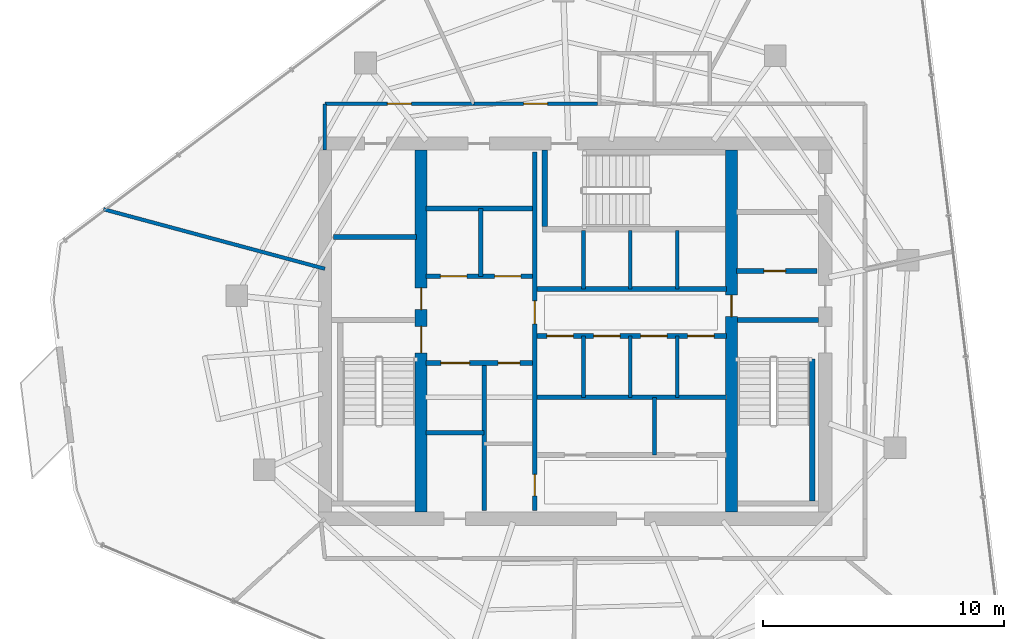
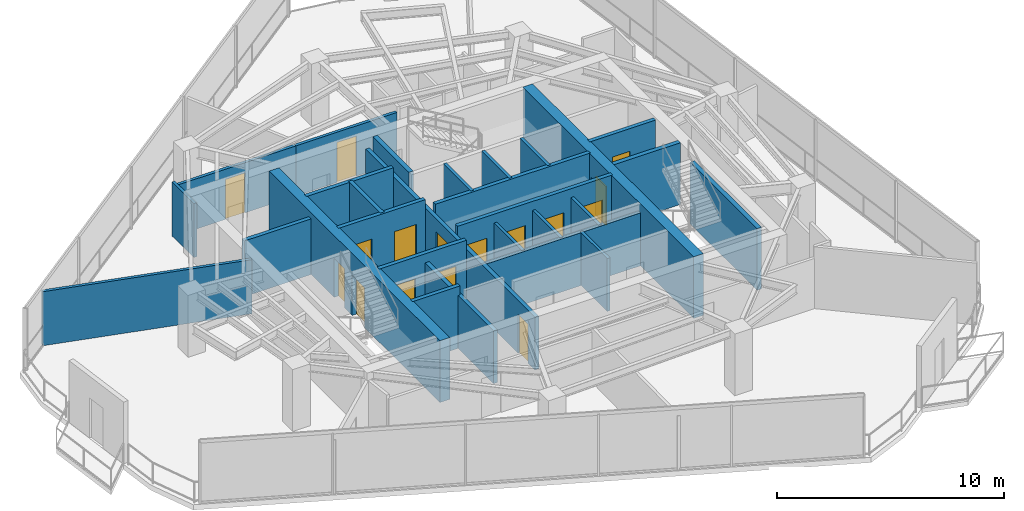
# One storey, part 14 of 18: 28 walls, 16 doors, 16 openings.
"""IFC4 building model written with IfcOpenShell, lengths in metres."""

from ifc_helpers import new_model, si_unit, direction, frame, frame_2d, origin, place, context, subcontext, project, spatial, rectangle, extrude, material, layer, layer_set, type_object, element, fill, save


model = new_model("IFC4")

# Units and contexts
model_context = context("Model", 3, precision=1e-05, world=origin(), true_north=direction((0.0, 1.0)))
body_context = subcontext(model_context, "Body", "Model", "MODEL_VIEW")
ifc_project = project(units=[si_unit("LENGTHUNIT", "METRE"), si_unit("AREAUNIT", "SQUARE_METRE"), si_unit("VOLUMEUNIT", "CUBIC_METRE"), si_unit("PLANEANGLEUNIT", "RADIAN"), si_unit("MASSUNIT", "GRAM", prefix="KILO")], contexts=[model_context])

# Site, building, storey
site_placement = place(None, origin())
site = spatial("IfcSite", under=ifc_project, at=site_placement, CompositionType="ELEMENT")
building_placement = place(site_placement, origin())
building = spatial("IfcBuilding", under=site, at=building_placement, Name="Qarnah Convention Tower", CompositionType="ELEMENT")
storey_placement = place(building_placement, frame((0.0, 0.0, 205.800048828125)))
storey = spatial("IfcBuildingStorey", under=building, at=storey_placement, Name="L55", CompositionType="ELEMENT", Elevation=205.800048828125)

# Wall, openings, doors
ifc_material_1 = material(Name="Concrete C60/75", Category="concrete")
ifc_layer_1 = layer(ifc_material_1, 0.5)
ifc_layer_set_1 = layer_set([ifc_layer_1], Name="Concrete C60/75")
wall_type_1 = type_object("IfcWallType", Name="WL-CORE-INT-400", PredefinedType="SHEAR", material=ifc_layer_set_1)
wall_1_placement = place(storey_placement, frame((30.800048828125, 18.875, 0.0), z_axis=(0.0, 0.0, 1.0), x_axis=(0.0, 1.0, 0.0)))
wall_1 = element("IfcWall", 1, at=wall_1_placement, inside=storey, type_object=wall_type_1, Name="L55 core west spine shear wall", PredefinedType="SHEAR", context=body_context, shape_type="SweptSolid", body=[
    extrude(rectangle(XDim=15.050048828125, YDim=0.5, at=frame_2d((7.52490234375, 0.0))), origin(), (0.0, 0.0, 1.0), 3.320068359375),
])
opening_1_placement = place(wall_1_placement, frame((6.625, 0.0, 0.0)))
opening_1 = element("IfcOpeningElement", 2, at=opening_1_placement, cuts=wall_1, Name="Opening D-5501", PredefinedType="OPENING", context=body_context, shape_type="SweptSolid", body=[
    extrude(rectangle(XDim=1.10009765625, YDim=2.14990234375, at=frame_2d((0.550048828125, 1.074951171875))), frame((0.0, 0.260009765625, 0.0), z_axis=(0.0, -1.0, 0.0), x_axis=(1.0, 0.0, 0.0)), (0.0, 0.0, 1.0), 0.52001953125),
])
opening_2_placement = place(wall_1_placement, frame((8.425048828125, 0.0, 0.0)))
opening_2 = element("IfcOpeningElement", 3, at=opening_2_placement, cuts=wall_1, Name="Opening D-5508", PredefinedType="OPENING", context=body_context, shape_type="SweptSolid", body=[
    extrude(rectangle(XDim=0.89990234375, YDim=2.10009765625, at=frame_2d((0.449951171875, 1.050048828125))), frame((0.0, 0.260009765625, 0.0), z_axis=(0.0, -1.0, 0.0), x_axis=(1.0, 0.0, 0.0)), (0.0, 0.0, 1.0), 0.52001953125),
])
ifc_material_2 = material(Name="Structural steel S355JR", Category="steel")
door_type_1 = type_object("IfcDoorType", Name="DT-RISER-900", OperationType="NOTDEFINED", PredefinedType="DOOR", material=ifc_material_2)
door_1_placement = place(opening_2_placement, origin())
door_1 = element("IfcDoor", 4, at=door_1_placement, inside=storey, type_object=door_type_1, Name="Door D-5508", OperationType="SINGLE_SWING_RIGHT", OverallHeight=2.10009765625, OverallWidth=0.89990234375, PredefinedType="DOOR", context=body_context, shape_type="SweptSolid", body=[
    extrude(rectangle(XDim=0.89990234375, YDim=2.10009765625, at=frame_2d((0.449951171875, 1.050048828125))), frame((0.0, 0.02490234375, 0.0), z_axis=(0.0, -1.0, 0.0), x_axis=(1.0, 0.0, 0.0)), (0.0, 0.0, 1.0), 0.050048828125),
])
fill(opening_2, door_1)
door_type_2 = type_object("IfcDoorType", Name="DT-STAIR-1100", OperationType="NOTDEFINED", PredefinedType="DOOR", material=ifc_material_2)
door_2_placement = place(opening_1_placement, origin())
door_2 = element("IfcDoor", 5, at=door_2_placement, inside=storey, type_object=door_type_2, Name="Door D-5501", OperationType="SINGLE_SWING_LEFT", OverallHeight=2.14990234375, OverallWidth=1.10009765625, PredefinedType="DOOR", context=body_context, shape_type="SweptSolid", body=[
    extrude(rectangle(XDim=1.10009765625, YDim=2.14990234375, at=frame_2d((0.550048828125, 1.074951171875))), frame((0.0, 0.02490234375, 0.0), z_axis=(0.0, -1.0, 0.0), x_axis=(1.0, 0.0, 0.0)), (0.0, 0.0, 1.0), 0.050048828125),
])
fill(opening_1, door_2)

# Wall, opening, door
wall_2_placement = place(storey_placement, frame((43.699951171875, 18.875, 0.0), z_axis=(0.0, 0.0, 1.0), x_axis=(0.0, 1.0, 0.0)))
wall_2 = element("IfcWall", 6, at=wall_2_placement, inside=storey, type_object=wall_type_1, Name="L55 core east spine shear wall", PredefinedType="SHEAR", context=body_context, shape_type="SweptSolid", body=[
    extrude(rectangle(XDim=15.050048828125, YDim=0.5, at=frame_2d((7.52490234375, 0.0))), origin(), (0.0, 0.0, 1.0), 3.320068359375),
])
opening_3_placement = place(wall_2_placement, frame((8.125, 0.0, 0.0)))
opening_3 = element("IfcOpeningElement", 7, at=opening_3_placement, cuts=wall_2, Name="Opening D-5505", PredefinedType="OPENING", context=body_context, shape_type="SweptSolid", body=[
    extrude(rectangle(XDim=0.89990234375, YDim=2.10009765625, at=frame_2d((0.449951171875, 1.050048828125))), frame((0.0, 0.260009765625, 0.0), z_axis=(0.0, -1.0, 0.0), x_axis=(1.0, 0.0, 0.0)), (0.0, 0.0, 1.0), 0.52001953125),
])
door_3_placement = place(opening_3_placement, origin())
door_3 = element("IfcDoor", 8, at=door_3_placement, inside=storey, type_object=door_type_1, Name="Door D-5505", OperationType="SINGLE_SWING_LEFT", OverallHeight=2.10009765625, OverallWidth=0.89990234375, PredefinedType="DOOR", context=body_context, shape_type="SweptSolid", body=[
    extrude(rectangle(XDim=0.89990234375, YDim=2.10009765625, at=frame_2d((0.449951171875, 1.050048828125))), frame((0.0, 0.02490234375, 0.0), z_axis=(0.0, -1.0, 0.0), x_axis=(1.0, 0.0, 0.0)), (0.0, 0.0, 1.0), 0.050048828125),
])
fill(opening_3, door_3)

# Wall
ifc_material_3 = material(Name="Concrete C45/55", Category="concrete")
ifc_layer_2 = layer(ifc_material_3, 0.199951171875)
ifc_layer_set_2 = layer_set([ifc_layer_2], Name="Concrete C45/55")
wall_type_2 = type_object("IfcWallType", Name="WL-CORE-PART-200", PredefinedType="SOLIDWALL", material=ifc_layer_set_2)
wall_3_placement = place(storey_placement, frame((27.14990234375, 30.320068359375, 0.0), z_axis=(0.0, 0.0, 1.0), x_axis=(1.0, 0.0, 0.0)))
element("IfcWall", 9, at=wall_3_placement, inside=storey, type_object=wall_type_2, Name="L55 interior wall IW-L55-ELRN", PredefinedType="SOLIDWALL", context=body_context, shape_type="SweptSolid", body=[
    extrude(rectangle(XDim=3.4501953125, YDim=0.199951171875, at=frame_2d((1.72509765625, 0.0))), origin(), (0.0, 0.0, 1.0), 2.992919921875),
])

# Wall, opening, door
wall_4_placement = place(storey_placement, frame((43.89990234375, 28.89990234375, 0.0), z_axis=(0.0, 0.0, 1.0), x_axis=(1.0, 0.0, 0.0)))
wall_4 = element("IfcWall", 10, at=wall_4_placement, inside=storey, type_object=wall_type_2, Name="L55 interior wall IW-L55-EVSTN", PredefinedType="SOLIDWALL", context=body_context, shape_type="SweptSolid", body=[
    extrude(rectangle(XDim=3.35009765625, YDim=0.199951171875, at=frame_2d((1.675048828125, 0.0))), origin(), (0.0, 0.0, 1.0), 3.320068359375),
])
opening_4_placement = place(wall_4_placement, frame((1.14990234375, 0.0, 0.0)))
opening_4 = element("IfcOpeningElement", 11, at=opening_4_placement, cuts=wall_4, Name="Opening D-5511", PredefinedType="OPENING", context=body_context, shape_type="SweptSolid", body=[
    extrude(rectangle(XDim=0.89990234375, YDim=2.10009765625, at=frame_2d((0.449951171875, 1.050048828125))), frame((0.0, 0.10986328125, 0.0), z_axis=(0.0, -1.0, 0.0), x_axis=(1.0, 0.0, 0.0)), (0.0, 0.0, 1.0), 0.219970703125),
])
door_4_placement = place(opening_4_placement, origin())
door_4 = element("IfcDoor", 12, at=door_4_placement, inside=storey, type_object=door_type_1, Name="Door D-5511", OperationType="SINGLE_SWING_LEFT", OverallHeight=2.10009765625, OverallWidth=0.89990234375, PredefinedType="DOOR", context=body_context, shape_type="SweptSolid", body=[
    extrude(rectangle(XDim=0.89990234375, YDim=2.10009765625, at=frame_2d((0.449951171875, 1.050048828125))), frame((0.0, 0.02490234375, 0.0), z_axis=(0.0, -1.0, 0.0), x_axis=(1.0, 0.0, 0.0)), (0.0, 0.0, 1.0), 0.050048828125),
])
fill(opening_4, door_4)

# Wall, openings, doors
wall_5_placement = place(storey_placement, frame((35.52001953125, 18.949951171875, 0.0), z_axis=(0.0, 0.0, 1.0), x_axis=(0.0, 1.0, 0.0)))
wall_5 = element("IfcWall", 13, at=wall_5_placement, inside=storey, type_object=wall_type_2, Name="L55 interior wall IW-L55-CSP", PredefinedType="SOLIDWALL", context=body_context, shape_type="SweptSolid", body=[
    extrude(rectangle(XDim=14.900146484375, YDim=0.199951171875, at=frame_2d((7.4501953125, 0.0))), origin(), (0.0, 0.0, 1.0), 2.841064453125),
])
opening_5_placement = place(wall_5_placement, frame((7.7548828125, 0.0, 0.0)))
opening_5 = element("IfcOpeningElement", 14, at=opening_5_placement, cuts=wall_5, Name="Opening D-5504", PredefinedType="OPENING", context=body_context, shape_type="SweptSolid", body=[
    extrude(rectangle(XDim=0.949951171875, YDim=2.14990234375, at=frame_2d((0.47509765625, 1.074951171875))), frame((0.0, 0.10986328125, 0.0), z_axis=(0.0, -1.0, 0.0), x_axis=(1.0, 0.0, 0.0)), (0.0, 0.0, 1.0), 0.219970703125),
])
opening_6_placement = place(wall_5_placement, frame((0.60009765625, 0.0, 0.0)))
opening_6 = element("IfcOpeningElement", 15, at=opening_6_placement, cuts=wall_5, Name="Opening D-5514", PredefinedType="OPENING", context=body_context, shape_type="SweptSolid", body=[
    extrude(rectangle(XDim=0.89990234375, YDim=2.10009765625, at=frame_2d((0.449951171875, 1.050048828125))), frame((0.0, 0.10986328125, 0.0), z_axis=(0.0, -1.0, 0.0), x_axis=(1.0, 0.0, 0.0)), (0.0, 0.0, 1.0), 0.219970703125),
])
ifc_material_4 = material(Name="Oak timber veneer", Category="wood")
door_type_3 = type_object("IfcDoorType", Name="DT-HOTEL-950", OperationType="NOTDEFINED", PredefinedType="DOOR", material=ifc_material_4)
door_5_placement = place(opening_5_placement, origin())
door_5 = element("IfcDoor", 16, at=door_5_placement, inside=storey, type_object=door_type_3, Name="Door D-5504", OperationType="SINGLE_SWING_RIGHT", OverallHeight=2.14990234375, OverallWidth=0.949951171875, PredefinedType="DOOR", context=body_context, shape_type="SweptSolid", body=[
    extrude(rectangle(XDim=0.949951171875, YDim=2.14990234375, at=frame_2d((0.47509765625, 1.074951171875))), frame((0.0, 0.02490234375, 0.0), z_axis=(0.0, -1.0, 0.0), x_axis=(1.0, 0.0, 0.0)), (0.0, 0.0, 1.0), 0.050048828125),
])
fill(opening_5, door_5)
door_6_placement = place(opening_6_placement, origin())
door_6 = element("IfcDoor", 17, at=door_6_placement, inside=storey, type_object=door_type_1, Name="Door D-5514", OperationType="SINGLE_SWING_RIGHT", OverallHeight=2.10009765625, OverallWidth=0.89990234375, PredefinedType="DOOR", context=body_context, shape_type="SweptSolid", body=[
    extrude(rectangle(XDim=0.89990234375, YDim=2.10009765625, at=frame_2d((0.449951171875, 1.050048828125))), frame((0.0, 0.02490234375, 0.0), z_axis=(0.0, -1.0, 0.0), x_axis=(1.0, 0.0, 0.0)), (0.0, 0.0, 1.0), 0.050048828125),
])
fill(opening_6, door_6)

wall_6_placement = place(storey_placement, frame((31.0, 28.679931640625, 0.0), z_axis=(0.0, 0.0, 1.0), x_axis=(1.0, 0.0, 0.0)))
wall_6 = element("IfcWall", 18, at=wall_6_placement, inside=storey, type_object=wall_type_2, Name="L55 interior wall IW-L55-FFLS", PredefinedType="SOLIDWALL", context=body_context, shape_type="SweptSolid", body=[
    extrude(rectangle(XDim=4.419921875, YDim=0.199951171875, at=frame_2d((2.2099609375, 0.0))), origin(), (0.0, 0.0, 1.0), 3.320068359375),
])
opening_7_placement = place(wall_6_placement, frame((0.60009765625, 0.0, 0.0)))
opening_7 = element("IfcOpeningElement", 19, at=opening_7_placement, cuts=wall_6, Name="Opening LD-5501", PredefinedType="OPENING", context=body_context, shape_type="SweptSolid", body=[
    extrude(rectangle(XDim=1.10009765625, YDim=2.14990234375, at=frame_2d((0.550048828125, 1.074951171875))), frame((0.0, 0.10986328125, 0.0), z_axis=(0.0, -1.0, 0.0), x_axis=(1.0, 0.0, 0.0)), (0.0, 0.0, 1.0), 0.219970703125),
])
opening_8_placement = place(wall_6_placement, frame((2.85009765625, 0.0, 0.0)))
opening_8 = element("IfcOpeningElement", 20, at=opening_8_placement, cuts=wall_6, Name="Opening LD-5502", PredefinedType="OPENING", context=body_context, shape_type="SweptSolid", body=[
    extrude(rectangle(XDim=1.10009765625, YDim=2.14990234375, at=frame_2d((0.550048828125, 1.074951171875))), frame((0.0, 0.10986328125, 0.0), z_axis=(0.0, -1.0, 0.0), x_axis=(1.0, 0.0, 0.0)), (0.0, 0.0, 1.0), 0.219970703125),
])
door_type_4 = type_object("IfcDoorType", Name="DT-LIFT-1100", OperationType="SLIDING_TO_LEFT", PredefinedType="DOOR", material=ifc_material_2)
door_7_placement = place(opening_7_placement, origin())
door_7 = element("IfcDoor", 21, at=door_7_placement, inside=storey, type_object=door_type_4, Name="Door LD-5501", OperationType="SLIDING_TO_LEFT", OverallHeight=2.14990234375, OverallWidth=1.10009765625, PredefinedType="DOOR", context=body_context, shape_type="SweptSolid", body=[
    extrude(rectangle(XDim=1.10009765625, YDim=2.14990234375, at=frame_2d((0.550048828125, 1.074951171875))), frame((0.0, 0.02490234375, 0.0), z_axis=(0.0, -1.0, 0.0), x_axis=(1.0, 0.0, 0.0)), (0.0, 0.0, 1.0), 0.050048828125),
])
fill(opening_7, door_7)
door_8_placement = place(opening_8_placement, origin())
door_8 = element("IfcDoor", 22, at=door_8_placement, inside=storey, type_object=door_type_4, Name="Door LD-5502", OperationType="SLIDING_TO_LEFT", OverallHeight=2.14990234375, OverallWidth=1.10009765625, PredefinedType="DOOR", context=body_context, shape_type="SweptSolid", body=[
    extrude(rectangle(XDim=1.10009765625, YDim=2.14990234375, at=frame_2d((0.550048828125, 1.074951171875))), frame((0.0, 0.02490234375, 0.0), z_axis=(0.0, -1.0, 0.0), x_axis=(1.0, 0.0, 0.0)), (0.0, 0.0, 1.0), 0.050048828125),
])
fill(opening_8, door_8)

# Walls
wall_7_placement = place(storey_placement, frame((31.0, 31.5, 0.0), z_axis=(0.0, 0.0, 1.0), x_axis=(1.0, 0.0, 0.0)))
element("IfcWall", 23, at=wall_7_placement, inside=storey, type_object=wall_type_2, Name="L55 interior wall IW-L55-FFLN", PredefinedType="SOLIDWALL", context=body_context, shape_type="SweptSolid", body=[
    extrude(rectangle(XDim=4.419921875, YDim=0.199951171875, at=frame_2d((2.2099609375, 0.0))), origin(), (0.0, 0.0, 1.0), 3.320068359375),
])
wall_8_placement = place(storey_placement, frame((33.280029296875, 28.679931640625, 0.0), z_axis=(0.0, 0.0, 1.0), x_axis=(0.0, 1.0, 0.0)))
element("IfcWall", 24, at=wall_8_placement, inside=storey, type_object=wall_type_2, Name="L55 interior wall IW-L55-FFLM", PredefinedType="SOLIDWALL", context=body_context, shape_type="SweptSolid", body=[
    extrude(rectangle(XDim=2.820068359375, YDim=0.199951171875, at=frame_2d((1.41015625, 0.0))), origin(), (0.0, 0.0, 1.0), 3.320068359375),
])

# Wall, openings, doors
wall_9_placement = place(storey_placement, frame((31.0, 25.080078125, 0.0), z_axis=(0.0, 0.0, 1.0), x_axis=(1.0, 0.0, 0.0)))
wall_9 = element("IfcWall", 25, at=wall_9_placement, inside=storey, type_object=wall_type_2, Name="L55 interior wall IW-L55-FFLBS", PredefinedType="SOLIDWALL", context=body_context, shape_type="SweptSolid", body=[
    extrude(rectangle(XDim=4.419921875, YDim=0.199951171875, at=frame_2d((2.2099609375, 0.0))), origin(), (0.0, 0.0, 1.0), 3.320068359375),
])
opening_9_placement = place(wall_9_placement, frame((3.0, 0.0, 0.0)))
opening_9 = element("IfcOpeningElement", 26, at=opening_9_placement, cuts=wall_9, Name="Opening D-5515", PredefinedType="OPENING", context=body_context, shape_type="SweptSolid", body=[
    extrude(rectangle(XDim=0.89990234375, YDim=2.10009765625, at=frame_2d((0.449951171875, 1.050048828125))), frame((0.0, 0.10986328125, 0.0), z_axis=(0.0, -1.0, 0.0), x_axis=(1.0, 0.0, 0.0)), (0.0, 0.0, 1.0), 0.219970703125),
])
opening_10_placement = place(wall_9_placement, frame((0.6201171875, 0.0, 0.0)))
opening_10 = element("IfcOpeningElement", 27, at=opening_10_placement, cuts=wall_9, Name="Opening LD-5503", PredefinedType="OPENING", context=body_context, shape_type="SweptSolid", body=[
    extrude(rectangle(XDim=1.199951171875, YDim=2.14990234375, at=frame_2d((0.60009765625, 1.074951171875))), frame((0.0, 0.10986328125, 0.0), z_axis=(0.0, -1.0, 0.0), x_axis=(1.0, 0.0, 0.0)), (0.0, 0.0, 1.0), 0.219970703125),
])
door_type_5 = type_object("IfcDoorType", Name="DT-LIFT-1200", OperationType="SLIDING_TO_LEFT", PredefinedType="DOOR", material=ifc_material_2)
door_9_placement = place(opening_10_placement, origin())
door_9 = element("IfcDoor", 28, at=door_9_placement, inside=storey, type_object=door_type_5, Name="Door LD-5503", OperationType="SLIDING_TO_LEFT", OverallHeight=2.14990234375, OverallWidth=1.199951171875, PredefinedType="DOOR", context=body_context, shape_type="SweptSolid", body=[
    extrude(rectangle(XDim=1.199951171875, YDim=2.14990234375, at=frame_2d((0.60009765625, 1.074951171875))), frame((0.0, 0.02490234375, 0.0), z_axis=(0.0, -1.0, 0.0), x_axis=(1.0, 0.0, 0.0)), (0.0, 0.0, 1.0), 0.050048828125),
])
fill(opening_10, door_9)
door_10_placement = place(opening_9_placement, origin())
door_10 = element("IfcDoor", 29, at=door_10_placement, inside=storey, type_object=door_type_1, Name="Door D-5515", OperationType="SINGLE_SWING_LEFT", OverallHeight=2.10009765625, OverallWidth=0.89990234375, PredefinedType="DOOR", context=body_context, shape_type="SweptSolid", body=[
    extrude(rectangle(XDim=0.89990234375, YDim=2.10009765625, at=frame_2d((0.449951171875, 1.050048828125))), frame((0.0, 0.02490234375, 0.0), z_axis=(0.0, -1.0, 0.0), x_axis=(1.0, 0.0, 0.0)), (0.0, 0.0, 1.0), 0.050048828125),
])
fill(opening_9, door_10)

# Walls
wall_10_placement = place(storey_placement, frame((33.419921875, 18.949951171875, 0.0), z_axis=(0.0, 0.0, 1.0), x_axis=(0.0, 1.0, 0.0)))
element("IfcWall", 30, at=wall_10_placement, inside=storey, type_object=wall_type_2, Name="L55 interior wall IW-L55-SVLE", PredefinedType="SOLIDWALL", context=body_context, shape_type="SweptSolid", body=[
    extrude(rectangle(XDim=6.130126953125, YDim=0.199951171875, at=frame_2d((3.06494140625, 0.0))), origin(), (0.0, 0.0, 1.0), 2.841064453125),
])
wall_11_placement = place(storey_placement, frame((31.0, 22.179931640625, 0.0), z_axis=(0.0, 0.0, 1.0), x_axis=(1.0, 0.0, 0.0)))
element("IfcWall", 31, at=wall_11_placement, inside=storey, type_object=wall_type_2, Name="L55 interior wall IW-L55-SVLS", PredefinedType="SOLIDWALL", context=body_context, shape_type="SweptSolid", body=[
    extrude(rectangle(XDim=2.419921875, YDim=0.199951171875, at=frame_2d((1.2099609375, 0.0))), origin(), (0.0, 0.0, 1.0), 3.320068359375),
])
wall_12_placement = place(storey_placement, frame((35.6201171875, 28.14990234375, 0.0), z_axis=(0.0, 0.0, 1.0), x_axis=(1.0, 0.0, 0.0)))
element("IfcWall", 32, at=wall_12_placement, inside=storey, type_object=wall_type_2, Name="L55 interior wall IW-L55-PHS", PredefinedType="SOLIDWALL", context=body_context, shape_type="SweptSolid", body=[
    extrude(rectangle(XDim=7.8798828125, YDim=0.199951171875, at=frame_2d((3.93994140625, 0.0))), origin(), (0.0, 0.0, 1.0), 3.320068359375),
])

# Wall, openings, doors
wall_13_placement = place(storey_placement, frame((35.6201171875, 26.199951171875, 0.0), z_axis=(0.0, 0.0, 1.0), x_axis=(1.0, 0.0, 0.0)))
wall_13 = element("IfcWall", 33, at=wall_13_placement, inside=storey, type_object=wall_type_2, Name="L55 interior wall IW-L55-PMN", PredefinedType="SOLIDWALL", context=body_context, shape_type="SweptSolid", body=[
    extrude(rectangle(XDim=7.8798828125, YDim=0.199951171875, at=frame_2d((3.93994140625, 0.0))), origin(), (0.0, 0.0, 1.0), 3.320068359375),
])
opening_11_placement = place(wall_13_placement, frame((0.405029296875, 0.0, 0.0)))
opening_11 = element("IfcOpeningElement", 34, at=opening_11_placement, cuts=wall_13, Name="Opening LD-5504", PredefinedType="OPENING", context=body_context, shape_type="SweptSolid", body=[
    extrude(rectangle(XDim=1.10009765625, YDim=2.14990234375, at=frame_2d((0.550048828125, 1.074951171875))), frame((0.0, 0.10986328125, 0.0), z_axis=(0.0, -1.0, 0.0), x_axis=(1.0, 0.0, 0.0)), (0.0, 0.0, 1.0), 0.219970703125),
])
opening_12_placement = place(wall_13_placement, frame((2.35498046875, 0.0, 0.0)))
opening_12 = element("IfcOpeningElement", 35, at=opening_12_placement, cuts=wall_13, Name="Opening LD-5505", PredefinedType="OPENING", context=body_context, shape_type="SweptSolid", body=[
    extrude(rectangle(XDim=1.10009765625, YDim=2.14990234375, at=frame_2d((0.550048828125, 1.074951171875))), frame((0.0, 0.10986328125, 0.0), z_axis=(0.0, -1.0, 0.0), x_axis=(1.0, 0.0, 0.0)), (0.0, 0.0, 1.0), 0.219970703125),
])
opening_13_placement = place(wall_13_placement, frame((4.304931640625, 0.0, 0.0)))
opening_13 = element("IfcOpeningElement", 36, at=opening_13_placement, cuts=wall_13, Name="Opening LD-5506", PredefinedType="OPENING", context=body_context, shape_type="SweptSolid", body=[
    extrude(rectangle(XDim=1.10009765625, YDim=2.14990234375, at=frame_2d((0.550048828125, 1.074951171875))), frame((0.0, 0.10986328125, 0.0), z_axis=(0.0, -1.0, 0.0), x_axis=(1.0, 0.0, 0.0)), (0.0, 0.0, 1.0), 0.219970703125),
])
opening_14_placement = place(wall_13_placement, frame((6.2548828125, 0.0, 0.0)))
opening_14 = element("IfcOpeningElement", 37, at=opening_14_placement, cuts=wall_13, Name="Opening LD-5507", PredefinedType="OPENING", context=body_context, shape_type="SweptSolid", body=[
    extrude(rectangle(XDim=1.10009765625, YDim=2.14990234375, at=frame_2d((0.550048828125, 1.074951171875))), frame((0.0, 0.10986328125, 0.0), z_axis=(0.0, -1.0, 0.0), x_axis=(1.0, 0.0, 0.0)), (0.0, 0.0, 1.0), 0.219970703125),
])
door_11_placement = place(opening_11_placement, origin())
door_11 = element("IfcDoor", 38, at=door_11_placement, inside=storey, type_object=door_type_4, Name="Door LD-5504", OperationType="SLIDING_TO_LEFT", OverallHeight=2.14990234375, OverallWidth=1.10009765625, PredefinedType="DOOR", context=body_context, shape_type="SweptSolid", body=[
    extrude(rectangle(XDim=1.10009765625, YDim=2.14990234375, at=frame_2d((0.550048828125, 1.074951171875))), frame((0.0, 0.02490234375, 0.0), z_axis=(0.0, -1.0, 0.0), x_axis=(1.0, 0.0, 0.0)), (0.0, 0.0, 1.0), 0.050048828125),
])
fill(opening_11, door_11)
door_12_placement = place(opening_12_placement, origin())
door_12 = element("IfcDoor", 39, at=door_12_placement, inside=storey, type_object=door_type_4, Name="Door LD-5505", OperationType="SLIDING_TO_LEFT", OverallHeight=2.14990234375, OverallWidth=1.10009765625, PredefinedType="DOOR", context=body_context, shape_type="SweptSolid", body=[
    extrude(rectangle(XDim=1.10009765625, YDim=2.14990234375, at=frame_2d((0.550048828125, 1.074951171875))), frame((0.0, 0.02490234375, 0.0), z_axis=(0.0, -1.0, 0.0), x_axis=(1.0, 0.0, 0.0)), (0.0, 0.0, 1.0), 0.050048828125),
])
fill(opening_12, door_12)
door_13_placement = place(opening_13_placement, origin())
door_13 = element("IfcDoor", 40, at=door_13_placement, inside=storey, type_object=door_type_4, Name="Door LD-5506", OperationType="SLIDING_TO_LEFT", OverallHeight=2.14990234375, OverallWidth=1.10009765625, PredefinedType="DOOR", context=body_context, shape_type="SweptSolid", body=[
    extrude(rectangle(XDim=1.10009765625, YDim=2.14990234375, at=frame_2d((0.550048828125, 1.074951171875))), frame((0.0, 0.02490234375, 0.0), z_axis=(0.0, -1.0, 0.0), x_axis=(1.0, 0.0, 0.0)), (0.0, 0.0, 1.0), 0.050048828125),
])
fill(opening_13, door_13)
door_14_placement = place(opening_14_placement, origin())
door_14 = element("IfcDoor", 41, at=door_14_placement, inside=storey, type_object=door_type_4, Name="Door LD-5507", OperationType="SLIDING_TO_LEFT", OverallHeight=2.14990234375, OverallWidth=1.10009765625, PredefinedType="DOOR", context=body_context, shape_type="SweptSolid", body=[
    extrude(rectangle(XDim=1.10009765625, YDim=2.14990234375, at=frame_2d((0.550048828125, 1.074951171875))), frame((0.0, 0.02490234375, 0.0), z_axis=(0.0, -1.0, 0.0), x_axis=(1.0, 0.0, 0.0)), (0.0, 0.0, 1.0), 0.050048828125),
])
fill(opening_14, door_14)

# Walls
wall_14_placement = place(storey_placement, frame((35.6201171875, 23.64990234375, 0.0), z_axis=(0.0, 0.0, 1.0), x_axis=(1.0, 0.0, 0.0)))
element("IfcWall", 42, at=wall_14_placement, inside=storey, type_object=wall_type_2, Name="L55 interior wall IW-L55-PMPL", PredefinedType="SOLIDWALL", context=body_context, shape_type="SweptSolid", body=[
    extrude(rectangle(XDim=7.8798828125, YDim=0.199951171875, at=frame_2d((3.93994140625, 0.0))), origin(), (0.0, 0.0, 1.0), 2.841064453125),
])
ifc_layer_3 = layer(ifc_material_1, 0.219970703125)
ifc_layer_set_3 = layer_set([ifc_layer_3], Name="Concrete C60/75")
wall_type_3 = type_object("IfcWallType", Name="WL-CORE-STAIR-220", PredefinedType="SHEAR", material=ifc_layer_set_3)
wall_15_placement = place(storey_placement, frame((43.949951171875, 26.860107421875, 0.0), z_axis=(0.0, 0.0, 1.0), x_axis=(1.0, 0.0, 0.0)))
element("IfcWall", 43, at=wall_15_placement, inside=storey, type_object=wall_type_3, Name="L55 stair shaft shear wall SW-L55-ST2N", PredefinedType="SHEAR", context=body_context, shape_type="SweptSolid", body=[
    extrude(rectangle(XDim=3.375, YDim=0.219970703125, at=frame_2d((1.6875, 0.0))), origin(), (0.0, 0.0, 1.0), 3.320068359375),
])
wall_16_placement = place(storey_placement, frame((47.06005859375, 19.35009765625, 0.0), z_axis=(0.0, 0.0, 1.0), x_axis=(0.0, 1.0, 0.0)))
element("IfcWall", 44, at=wall_16_placement, inside=storey, type_object=wall_type_3, Name="L55 stair shaft shear wall SW-L55-ST2E", PredefinedType="SHEAR", context=body_context, shape_type="SweptSolid", body=[
    extrude(rectangle(XDim=5.89990234375, YDim=0.219970703125, at=frame_2d((2.949951171875, 0.0))), origin(), (0.0, 0.0, 1.0), 3.320068359375),
])
wall_17_placement = place(storey_placement, frame((35.93994140625, 30.75, 0.0), z_axis=(0.0, 0.0, 1.0), x_axis=(0.0, 1.0, 0.0)))
element("IfcWall", 45, at=wall_17_placement, inside=storey, type_object=wall_type_3, Name="L55 stair shaft shear wall SW-L55-ST3W", PredefinedType="SHEAR", context=body_context, shape_type="SweptSolid", body=[
    extrude(rectangle(XDim=3.175048828125, YDim=0.219970703125, at=frame_2d((1.58740234375, 0.0))), origin(), (0.0, 0.0, 1.0), 3.320068359375),
])
ifc_material_5 = material(Name="Gypsum partition board")
ifc_layer_4 = layer(ifc_material_5, 0.14990234375)
ifc_layer_set_4 = layer_set([ifc_layer_4], Name="Gypsum partition board")
wall_type_4 = type_object("IfcWallType", Name="WL-SUITE-150", PredefinedType="PARTITIONING", material=ifc_layer_set_4)
for number, where, z_axis, x_axis, name in (
    (46, (37.550048828125, 28.14990234375, 0.0), (0.0, 0.0, 1.0), (0.0, 1.0, 0.0), "L55 interior wall IW-L55-PHD1"),
    (47, (39.5, 28.14990234375, 0.0), (0.0, 0.0, 1.0), (0.0, 1.0, 0.0), "L55 interior wall IW-L55-PHD2"),
    (48, (41.449951171875, 28.14990234375, 0.0), (0.0, 0.0, 1.0), (0.0, 1.0, 0.0), "L55 interior wall IW-L55-PHD3"),
):
    element("IfcWall", number, at=place(storey_placement, frame(where, z_axis=z_axis, x_axis=x_axis)), inside=storey, type_object=wall_type_4, Name=name, PredefinedType="PARTITIONING", context=body_context, shape_type="SweptSolid", body=[
        extrude(rectangle(XDim=2.43017578125, YDim=0.14990234375, at=frame_2d((1.215087890625, 0.0))), origin(), (0.0, 0.0, 1.0), 3.320068359375),
    ])
for number, where, z_axis, x_axis, name in (
    (49, (37.550048828125, 23.64990234375, 0.0), (0.0, 0.0, 1.0), (0.0, 1.0, 0.0), "L55 interior wall IW-L55-PMD1"),
    (50, (39.5, 23.64990234375, 0.0), (0.0, 0.0, 1.0), (0.0, 1.0, 0.0), "L55 interior wall IW-L55-PMD2"),
    (51, (41.449951171875, 23.64990234375, 0.0), (0.0, 0.0, 1.0), (0.0, 1.0, 0.0), "L55 interior wall IW-L55-PMD3"),
):
    element("IfcWall", number, at=place(storey_placement, frame(where, z_axis=z_axis, x_axis=x_axis)), inside=storey, type_object=wall_type_4, Name=name, PredefinedType="PARTITIONING", context=body_context, shape_type="SweptSolid", body=[
        extrude(rectangle(XDim=2.550048828125, YDim=0.14990234375, at=frame_2d((1.27490234375, 0.0))), origin(), (0.0, 0.0, 1.0), 2.841064453125),
    ])
wall_18_placement = place(storey_placement, frame((40.5, 21.25, 0.0), z_axis=(0.0, 0.0, 1.0), x_axis=(0.0, 1.0, 0.0)))
element("IfcWall", 52, at=wall_18_placement, inside=storey, type_object=wall_type_4, Name="L55 interior wall IW-L55-PLFD", PredefinedType="PARTITIONING", context=body_context, shape_type="SweptSolid", body=[
    extrude(rectangle(XDim=2.39990234375, YDim=0.14990234375, at=frame_2d((1.199951171875, 0.0))), origin(), (0.0, 0.0, 1.0), 2.841064453125),
])

# Wall, opening, door
wall_19_placement = place(storey_placement, frame((32.992919921875, 35.85009765625, 0.0), z_axis=(0.0, 0.0, 1.0), x_axis=(1.0, 0.0, 0.0)))
wall_19 = element("IfcWall", 53, at=wall_19_placement, inside=storey, type_object=wall_type_4, Name="L55 interior wall IW-L55-R-15", PredefinedType="PARTITIONING", context=body_context, shape_type="SweptSolid", body=[
    extrude(rectangle(XDim=5.136962890625, YDim=0.14990234375, at=frame_2d((2.568359375, 0.0))), origin(), (0.0, 0.0, 1.0), 2.697021484375),
])
opening_15_placement = place(wall_19_placement, frame((2.068115234375, 0.0, 0.0)))
opening_15 = element("IfcOpeningElement", 54, at=opening_15_placement, cuts=wall_19, Name="Opening D-5521", PredefinedType="OPENING", context=body_context, shape_type="SweptSolid", body=[
    extrude(rectangle(XDim=1.0, YDim=2.14990234375, at=frame_2d((0.5, 1.074951171875))), frame((0.0, 0.0849609375, 0.0), z_axis=(0.0, -1.0, 0.0), x_axis=(1.0, 0.0, 0.0)), (0.0, 0.0, 1.0), 0.169921875),
])
door_type_6 = type_object("IfcDoorType", Name="DT-OFFICE-1000", OperationType="NOTDEFINED", PredefinedType="DOOR", material=ifc_material_4)
door_15_placement = place(opening_15_placement, origin())
door_15 = element("IfcDoor", 55, at=door_15_placement, inside=storey, type_object=door_type_6, Name="Door D-5521", OperationType="SINGLE_SWING_LEFT", OverallHeight=2.14990234375, OverallWidth=1.0, PredefinedType="DOOR", context=body_context, shape_type="SweptSolid", body=[
    extrude(rectangle(XDim=1.0, YDim=2.14990234375, at=frame_2d((0.5, 1.074951171875))), frame((0.0, 0.02490234375, 0.0), z_axis=(0.0, -1.0, 0.0), x_axis=(1.0, 0.0, 0.0)), (0.0, 0.0, 1.0), 0.050048828125),
])
fill(opening_15, door_15)

# Walls
wall_20_placement = place(storey_placement, frame((17.595947265625, 31.468994140625, 0.0), z_axis=(0.0, 0.0, 1.0), x_axis=(0.965667180628, -0.259782401749, 0.0)))
element("IfcWall", 56, at=wall_20_placement, inside=storey, type_object=wall_type_4, Name="L55 interior wall IW-L55-R-16", PredefinedType="PARTITIONING", context=body_context, shape_type="SweptSolid", body=[
    extrude(rectangle(XDim=9.53125, YDim=0.14990234375, at=frame_2d((4.765625, 0.0))), origin(), (0.0, 0.0, 1.0), 2.905029296875),
])
wall_21_placement = place(storey_placement, frame((26.800048828125, 33.925048828125, 0.0), z_axis=(0.0, 0.0, 1.0), x_axis=(0.0, 1.0, 0.0)))
element("IfcWall", 57, at=wall_21_placement, inside=storey, type_object=wall_type_4, Name="L55 interior wall IW-L55-R-17", PredefinedType="PARTITIONING", context=body_context, shape_type="SweptSolid", body=[
    extrude(rectangle(XDim=1.925048828125, YDim=0.14990234375, at=frame_2d((0.96240234375, 0.0))), origin(), (0.0, 0.0, 1.0), 2.905029296875),
])

# Wall, opening, door
wall_22_placement = place(storey_placement, frame((26.800048828125, 35.85009765625, 0.0), z_axis=(0.0, 0.0, 1.0), x_axis=(1.0, 0.0, 0.0)))
wall_22 = element("IfcWall", 58, at=wall_22_placement, inside=storey, type_object=wall_type_4, Name="L55 interior wall IW-L55-R-18", PredefinedType="PARTITIONING", context=body_context, shape_type="SweptSolid", body=[
    extrude(rectangle(XDim=6.19287109375, YDim=0.14990234375, at=frame_2d((3.096435546875, 0.0))), origin(), (0.0, 0.0, 1.0), 2.697021484375),
])
opening_16_placement = place(wall_22_placement, frame((2.596923828125, 0.0, 0.0)))
opening_16 = element("IfcOpeningElement", 59, at=opening_16_placement, cuts=wall_22, Name="Opening D-5522", PredefinedType="OPENING", context=body_context, shape_type="SweptSolid", body=[
    extrude(rectangle(XDim=1.0, YDim=2.14990234375, at=frame_2d((0.5, 1.074951171875))), frame((0.0, 0.0849609375, 0.0), z_axis=(0.0, -1.0, 0.0), x_axis=(1.0, 0.0, 0.0)), (0.0, 0.0, 1.0), 0.169921875),
])
door_16_placement = place(opening_16_placement, origin())
door_16 = element("IfcDoor", 60, at=door_16_placement, inside=storey, type_object=door_type_6, Name="Door D-5522", OperationType="SINGLE_SWING_RIGHT", OverallHeight=2.14990234375, OverallWidth=1.0, PredefinedType="DOOR", context=body_context, shape_type="SweptSolid", body=[
    extrude(rectangle(XDim=1.0, YDim=2.14990234375, at=frame_2d((0.5, 1.074951171875))), frame((0.0, 0.02490234375, 0.0), z_axis=(0.0, -1.0, 0.0), x_axis=(1.0, 0.0, 0.0)), (0.0, 0.0, 1.0), 0.050048828125),
])
fill(opening_16, door_16)

save(model, "model.ifc")
